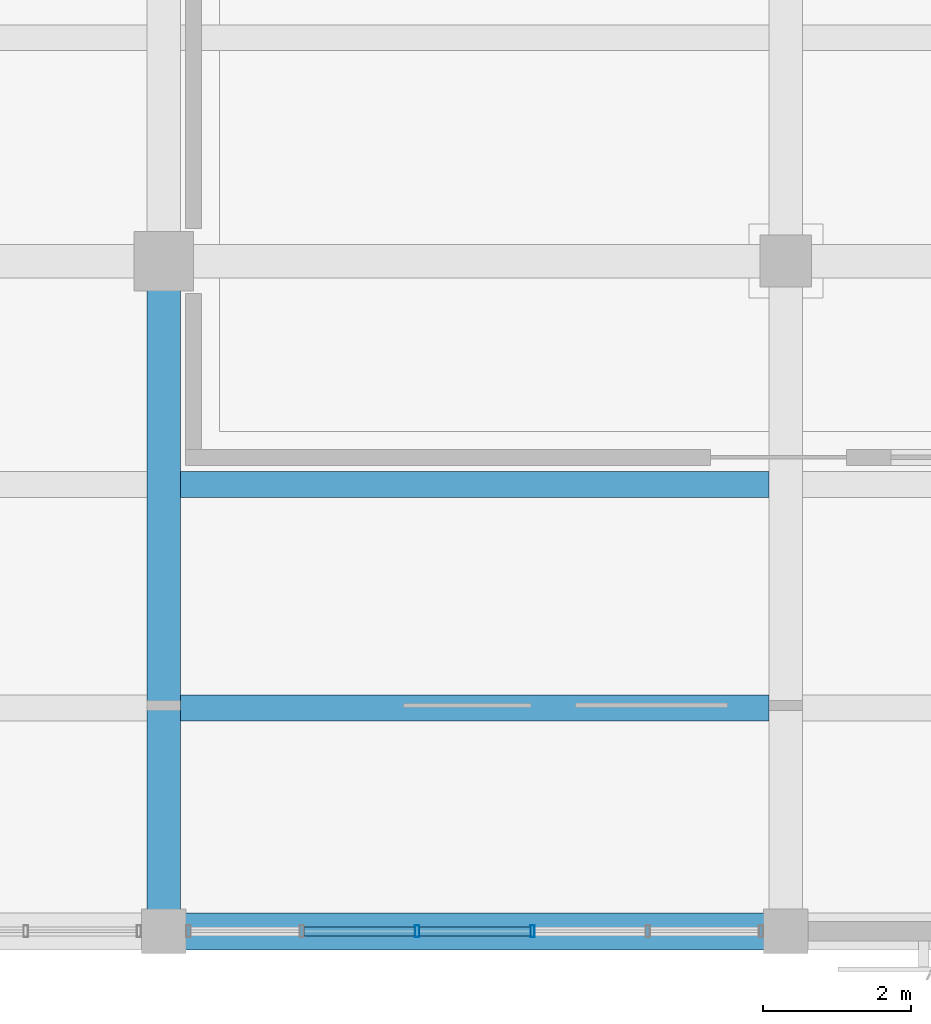
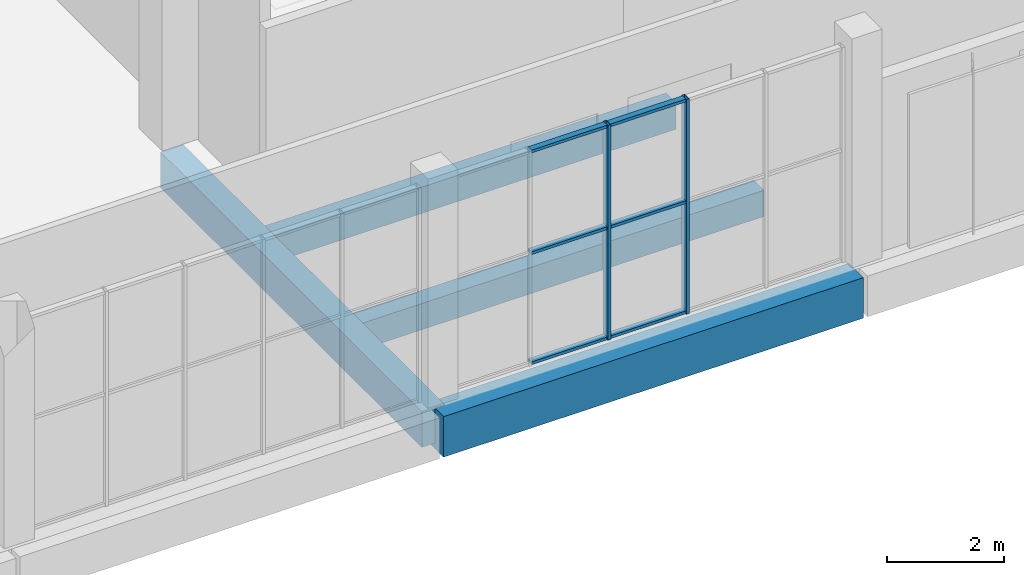
# One storey, part 6 of 80: 8 members, 4 beams, 1 element without a shape of its own.
"""IFC4 building model written with IfcOpenShell, lengths in metres."""

from ifc_helpers import new_model, si_unit, direction, frame, origin, origin_2d, place, context, subcontext, project, spatial, rectangle, hollow_rectangle, extrude, material, material_profile, profile_set, type_object, element, aggregate, save


model = new_model("IFC4")

# Units and contexts
model_context = context("Model", 3, precision=1e-05, world=origin(), true_north=direction((0.0, 1.0)))
body_context = subcontext(model_context, "Body", "Model", "MODEL_VIEW")
ifc_project = project(units=[si_unit("LENGTHUNIT", "METRE"), si_unit("AREAUNIT", "SQUARE_METRE"), si_unit("VOLUMEUNIT", "CUBIC_METRE"), si_unit("PLANEANGLEUNIT", "RADIAN"), si_unit("MASSUNIT", "GRAM", prefix="KILO")], contexts=[model_context])

# Site, building, storey
site_placement = place(None, origin())
site = spatial("IfcSite", under=ifc_project, at=site_placement, CompositionType="ELEMENT")
building_placement = place(site_placement, origin())
building = spatial("IfcBuilding", under=site, at=building_placement, Name="Khurvash Pelagic Aquarium", CompositionType="ELEMENT")
storey_placement = place(building_placement, frame((0.0, 0.0, 10.800048828125)))
storey = spatial("IfcBuildingStorey", under=building, at=storey_placement, Name="L02", CompositionType="ELEMENT", Elevation=10.800048828125)

# Beam
ifc_material_1 = material(Name="Concrete C35/45", Category="concrete")
ifc_material_profile_1 = material_profile(ifc_material_1, rectangle(XDim=0.449951171875, YDim=0.75, at=origin_2d()), Name="RC450X750")
ifc_profile_set_1 = profile_set([ifc_material_profile_1], Name="Concrete C35/45")
beam_type_1 = type_object("IfcBeamType", Name="BM-04", PredefinedType="BEAM", material=ifc_profile_set_1)
beam_1_placement = place(storey_placement, frame((42.0, 2.639892578125, -0.675048828125), z_axis=(0.0, 1.0, 0.0), x_axis=(-1.0, 0.0, 0.0)))
element("IfcBeam", 1, at=beam_1_placement, inside=storey, type_object=beam_type_1, Name="L02 Primary Girder BM-04 00673", PredefinedType="BEAM", context=body_context, shape_type="SweptSolid", body=[
    extrude(rectangle(XDim=0.449951171875, YDim=0.75, at=origin_2d()), origin(), (0.0, 0.0, 1.0), 8.97021484375),
])

# Curtain wall, members
ifc_material_2 = material(Name="Anodised aluminium and low-E laminated glass", Category="aluminium")
curtain_wall_type = type_object("IfcCurtainWallType", Name="CW-06", PredefinedType="USERDEFINED", material=ifc_material_2)
curtain_wall_placement = place(storey_placement, origin())
curtain_wall = element("IfcCurtainWall", 2, at=curtain_wall_placement, inside=storey, type_object=curtain_wall_type, Name="L02 Facade Unitised Curtain Wall CW-06 0152", ObjectType="UNITISED CURTAIN WALL", PredefinedType="USERDEFINED")
ifc_material_3 = material(Name="Extruded aluminium AW-6063-T6", Category="aluminium")
ifc_material_profile_2 = material_profile(ifc_material_3, hollow_rectangle(XDim=0.06005859375, YDim=0.159912109375, WallThickness=0.00390625, at=origin_2d()), Name="CWM60X160X4")
ifc_profile_set_2 = profile_set([ifc_material_profile_2], Name="Extruded aluminium AW-6063-T6")
member_type_1 = type_object("IfcMemberType", Name="CM-02", PredefinedType="MULLION", material=ifc_profile_set_2)
member_1_placement = place(storey_placement, frame((45.4208984375, 2.60009765625, 0.0), z_axis=(0.0, 0.0, 1.0), x_axis=(1.0, 0.0, 0.0)))
member_1 = element("IfcMember", 3, at=member_1_placement, type_object=member_type_1, Name="CW-06 mullion 3", PredefinedType="MULLION", context=body_context, shape_type="SweptSolid", body=[
    extrude(hollow_rectangle(XDim=0.06005859375, YDim=0.159912109375, WallThickness=0.00390625, at=origin_2d()), origin(), (0.0, 0.0, 1.0), 4.5),
])
member_2_placement = place(storey_placement, frame((46.97900390625, 2.60009765625, 0.0), z_axis=(0.0, 0.0, 1.0), x_axis=(1.0, 0.0, 0.0)))
member_2 = element("IfcMember", 4, at=member_2_placement, type_object=member_type_1, Name="CW-06 mullion 4", PredefinedType="MULLION", context=body_context, shape_type="SweptSolid", body=[
    extrude(hollow_rectangle(XDim=0.06005859375, YDim=0.159912109375, WallThickness=0.00390625, at=origin_2d()), origin(), (0.0, 0.0, 1.0), 4.5),
])
ifc_material_profile_3 = material_profile(ifc_material_3, hollow_rectangle(XDim=0.1201171875, YDim=0.06005859375, WallThickness=0.00390625, at=origin_2d()), Name="CWT120X60X4")
ifc_profile_set_3 = profile_set([ifc_material_profile_3], Name="Extruded aluminium AW-6063-T6")
member_type_2 = type_object("IfcMemberType", Name="CT-02", PredefinedType="USERDEFINED", material=ifc_profile_set_3)
member_3_placement = place(storey_placement, frame((43.89306640625, 2.60009765625, 0.030029296875), z_axis=(1.0, 0.0, 0.0), x_axis=(0.0, 1.0, 0.0)))
member_3 = element("IfcMember", 5, at=member_3_placement, type_object=member_type_2, Name="CW-06 transom 2.1", ObjectType="TRANSOM", PredefinedType="USERDEFINED", context=body_context, shape_type="SweptSolid", body=[
    extrude(hollow_rectangle(XDim=0.1201171875, YDim=0.06005859375, WallThickness=0.00390625, at=origin_2d()), origin(), (0.0, 0.0, 1.0), 1.498046875),
])
member_4_placement = place(storey_placement, frame((43.89306640625, 2.60009765625, 2.33984375), z_axis=(1.0, 0.0, 0.0), x_axis=(0.0, 1.0, 0.0)))
member_4 = element("IfcMember", 6, at=member_4_placement, type_object=member_type_2, Name="CW-06 transom 2.2", ObjectType="TRANSOM", PredefinedType="USERDEFINED", context=body_context, shape_type="SweptSolid", body=[
    extrude(hollow_rectangle(XDim=0.1201171875, YDim=0.06005859375, WallThickness=0.00390625, at=origin_2d()), origin(), (0.0, 0.0, 1.0), 1.498046875),
])
member_5_placement = place(storey_placement, frame((43.89306640625, 2.60009765625, 4.469970703125), z_axis=(1.0, 0.0, 0.0), x_axis=(0.0, 1.0, 0.0)))
member_5 = element("IfcMember", 7, at=member_5_placement, type_object=member_type_2, Name="CW-06 transom 2.3", ObjectType="TRANSOM", PredefinedType="USERDEFINED", context=body_context, shape_type="SweptSolid", body=[
    extrude(hollow_rectangle(XDim=0.1201171875, YDim=0.06005859375, WallThickness=0.00390625, at=origin_2d()), origin(), (0.0, 0.0, 1.0), 1.498046875),
])
member_6_placement = place(storey_placement, frame((45.450927734375, 2.60009765625, 0.030029296875), z_axis=(1.0, 0.0, 0.0), x_axis=(0.0, 1.0, 0.0)))
member_6 = element("IfcMember", 8, at=member_6_placement, type_object=member_type_2, Name="CW-06 transom 3.1", ObjectType="TRANSOM", PredefinedType="USERDEFINED", context=body_context, shape_type="SweptSolid", body=[
    extrude(hollow_rectangle(XDim=0.1201171875, YDim=0.06005859375, WallThickness=0.00390625, at=origin_2d()), origin(), (0.0, 0.0, 1.0), 1.498046875),
])
member_7_placement = place(storey_placement, frame((45.450927734375, 2.60009765625, 2.33984375), z_axis=(1.0, 0.0, 0.0), x_axis=(0.0, 1.0, 0.0)))
member_7 = element("IfcMember", 9, at=member_7_placement, type_object=member_type_2, Name="CW-06 transom 3.2", ObjectType="TRANSOM", PredefinedType="USERDEFINED", context=body_context, shape_type="SweptSolid", body=[
    extrude(hollow_rectangle(XDim=0.1201171875, YDim=0.06005859375, WallThickness=0.00390625, at=origin_2d()), origin(), (0.0, 0.0, 1.0), 1.498046875),
])
member_8_placement = place(storey_placement, frame((45.450927734375, 2.60009765625, 4.469970703125), z_axis=(1.0, 0.0, 0.0), x_axis=(0.0, 1.0, 0.0)))
member_8 = element("IfcMember", 10, at=member_8_placement, type_object=member_type_2, Name="CW-06 transom 3.3", ObjectType="TRANSOM", PredefinedType="USERDEFINED", context=body_context, shape_type="SweptSolid", body=[
    extrude(hollow_rectangle(XDim=0.1201171875, YDim=0.06005859375, WallThickness=0.00390625, at=origin_2d()), origin(), (0.0, 0.0, 1.0), 1.498046875),
])
aggregate(curtain_wall, [member_1, member_2, member_3, member_4, member_5, member_6, member_7, member_8])

# Beams
ifc_material_profile_4 = material_profile(ifc_material_1, rectangle(XDim=0.35009765625, YDim=0.550048828125, at=origin_2d()), Name="RC350X550")
ifc_profile_set_4 = profile_set([ifc_material_profile_4], Name="Concrete C35/45")
beam_type_2 = type_object("IfcBeamType", Name="JS-01", PredefinedType="JOIST", material=ifc_profile_set_4)
for number, where, z_axis, x_axis, name in (
    (11, (42.22509765625, 5.616943359375, -0.574951171875), (1.0, 0.0, 0.0), (0.0, 1.0, 0.0), "L02 Floor Joist JS-01 00757"),
    (12, (42.22509765625, 8.633056640625, -0.574951171875), (1.0, 0.0, 0.0), (0.0, 1.0, 0.0), "L02 Floor Joist JS-01 00758"),
):
    element("IfcBeam", number, at=place(storey_placement, frame(where, z_axis=z_axis, x_axis=x_axis)), inside=storey, type_object=beam_type_2, Name=name, PredefinedType="JOIST", context=body_context, shape_type="SweptSolid", body=[
        extrude(rectangle(XDim=0.35009765625, YDim=0.550048828125, at=origin_2d()), origin(), (0.0, 0.0, 1.0), 7.949951171875),
    ])
ifc_material_4 = material(Name="Concrete C40/50", Category="concrete")
ifc_material_profile_5 = material_profile(ifc_material_4, rectangle(XDim=0.5, YDim=0.85009765625, at=origin_2d()), Name="RC500X850")
ifc_profile_set_5 = profile_set([ifc_material_profile_5], Name="Concrete C40/50")
beam_type_3 = type_object("IfcBeamType", Name="SEB-03", PredefinedType="SPANDREL", material=ifc_profile_set_5)
beam_2_placement = place(storey_placement, frame((42.0400390625, 2.60009765625, -0.7451171875), z_axis=(1.0, 0.0, 0.0), x_axis=(0.0, 1.0, 0.0)))
element("IfcBeam", 13, at=beam_2_placement, inside=storey, type_object=beam_type_3, Name="L02 Primary Girder SEB-03 00564", PredefinedType="SPANDREL", context=body_context, shape_type="SweptSolid", body=[
    extrude(rectangle(XDim=0.5, YDim=0.85009765625, at=origin_2d()), origin(), (0.0, 0.0, 1.0), 8.320068359375),
])

save(model, "model.ifc")
